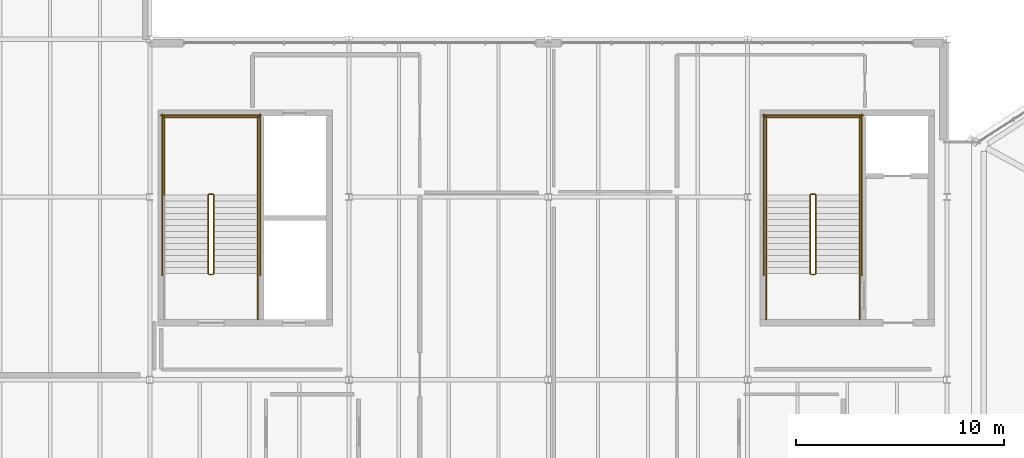
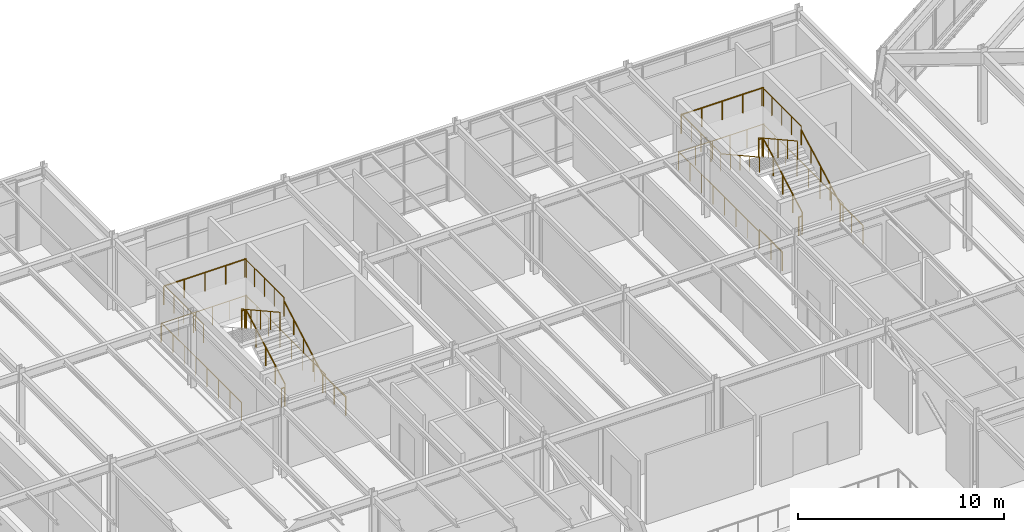
# One storey, part 67 of 69: 26 railings.
"""IFC4 building model written with IfcOpenShell, lengths in metres."""

import ifcopenshell
import ifcopenshell.guid

model = None  # the IFC model being written
_history = None  # IfcOwnerHistory: only IFC2X3 demands one
_inside = {}  # id of a spatial element -> (the spatial element, [elements in it])
_under = {}  # id of a project, library or spatial element -> (it, [spatial elements below it])
_declared = {}  # id of a project -> (the project, [libraries it declares])
_typed = {}  # id of a type object -> (the type object, [elements of that type])
_made_of = {}  # id of a material, layer set ... -> (it, [elements and type objects made of it])


def new_model(schema):
    """Start an empty IFC model of exactly this schema.

    Asked for "IFC4X3", IfcOpenShell would pick the latest addendum, in which some entities
    have other attributes; the version numbers below select the first issue.
    IFC2X3 requires an IfcOwnerHistory on every rooted entity: one is made here for all.
    """
    global model, _history
    if schema == "IFC4X3":
        model = ifcopenshell.file(schema_version=(4, 3, 0, 0))
    else:
        model = ifcopenshell.file(schema=schema)
    _inside.clear()
    _under.clear()
    _declared.clear()
    _typed.clear()
    _made_of.clear()
    _history = None
    if model.schema == "IFC2X3":
        org = make("IfcOrganization", Name="unknown")
        user = make(
            "IfcPersonAndOrganization",
            ThePerson=make("IfcPerson", FamilyName="unknown"),
            TheOrganization=org,
        )
        app = make(
            "IfcApplication",
            ApplicationDeveloper=org,
            Version="unknown",
            ApplicationFullName="unknown",
            ApplicationIdentifier="unknown",
        )
        _history = make(
            "IfcOwnerHistory",
            OwningUser=user,
            OwningApplication=app,
            ChangeAction="ADDED",
            CreationDate=0,
        )
    return model


def make(cls, **values):
    """One entity of the class cls with the attributes given. An attribute that is None is left unset."""
    return model.create_entity(
        cls, **{name: value for name, value in values.items() if value is not None}
    )


def rooted(cls, **values):
    """An entity with a GlobalId (a new one), such as an element, a storey or a relation."""
    return make(cls, GlobalId=ifcopenshell.guid.new(), OwnerHistory=_history, **values)


def si_unit(unit_type, name, prefix=None):
    """IfcSIUnit, for example si_unit("LENGTHUNIT", "METRE", prefix="MILLI")."""
    return make("IfcSIUnit", UnitType=unit_type, Prefix=prefix, Name=name)


def assignment(units):
    """IfcUnitAssignment: the units of a project."""
    return None if units is None else make("IfcUnitAssignment", Units=units)


def point(xyz):
    """IfcCartesianPoint."""
    return None if xyz is None else make("IfcCartesianPoint", Coordinates=xyz)


def direction(xyz):
    """IfcDirection."""
    return None if xyz is None else make("IfcDirection", DirectionRatios=xyz)


def frame(location, z_axis=None, x_axis=None):
    """IfcAxis2Placement3D, a coordinate frame: its origin and axes. An axis left out is left unset."""
    return make(
        "IfcAxis2Placement3D",
        Location=point(location),
        Axis=direction(z_axis),
        RefDirection=direction(x_axis),
    )


def frame_2d(location, x_axis=None):
    """IfcAxis2Placement2D, a coordinate frame in the plane: its origin and x axis."""
    return make(
        "IfcAxis2Placement2D", Location=point(location), RefDirection=direction(x_axis)
    )


def origin():
    """The frame at (0, 0, 0) with its axes left unset."""
    return frame((0.0, 0.0, 0.0))


def origin_2d():
    """The frame at (0, 0) in the plane with its x axis left unset."""
    return frame_2d((0.0, 0.0))


def place(relative_to, where):
    """IfcLocalPlacement: puts the frame where relative to a parent placement (None: the world)."""
    return make(
        "IfcLocalPlacement", PlacementRelTo=relative_to, RelativePlacement=where
    )


def context(
    kind, dimensions, precision=None, world=None, true_north=None, identifier=None
):
    """IfcGeometricRepresentationContext, for example the 3D "Model" context."""
    return make(
        "IfcGeometricRepresentationContext",
        ContextIdentifier=identifier,
        ContextType=kind,
        CoordinateSpaceDimension=dimensions,
        Precision=precision,
        WorldCoordinateSystem=world,
        TrueNorth=true_north,
    )


def subcontext(parent, identifier, kind, view, scale=None):
    """IfcGeometricRepresentationSubContext, for example "Body" below "Model"."""
    return make(
        "IfcGeometricRepresentationSubContext",
        ContextIdentifier=identifier,
        ContextType=kind,
        ParentContext=parent,
        TargetScale=scale,
        TargetView=view,
    )


def project(units=None, contexts=None):
    """IfcProject with its units and contexts."""
    return rooted(
        "IfcProject",
        Name="project",
        RepresentationContexts=contexts,
        UnitsInContext=assignment(units),
    )


def spatial(cls, under=None, at=None, **own):
    """A site, building, storey or space (cls), placed at a placement, below another one or the project."""
    s = rooted(cls, ObjectPlacement=at, **own)
    if under is not None:
        _under.setdefault(under.id(), (under, []))[1].append(s)
    return s


def profile(cls, at=None, kind="AREA", **sizes):
    """A parametric profile (cls). Its sizes go by their IFC names, for example OverallWidth=200.0."""
    return make(cls, ProfileType=kind, Position=at, **sizes)


def circle(**sizes):
    """IfcCircleProfileDef."""
    return profile("IfcCircleProfileDef", **sizes)


def extrude(swept, where, along, depth):
    """IfcExtrudedAreaSolid: the profile swept, set in the frame where, extruded along a direction by depth."""
    return make(
        "IfcExtrudedAreaSolid",
        SweptArea=swept,
        Position=where,
        ExtrudedDirection=direction(along),
        Depth=depth,
    )


def shape(context_of_items, identifier, shape_type, items):
    """IfcShapeRepresentation: the items that make up one representation, for example the "Body"."""
    return make(
        "IfcShapeRepresentation",
        ContextOfItems=context_of_items,
        RepresentationIdentifier=identifier,
        RepresentationType=shape_type,
        Items=items,
    )


def material(Name=None, Category=None):
    """IfcMaterial."""
    return make("IfcMaterial", Name=Name, Category=Category)


def layer(
    of_material, thickness, ventilated=None, Name=None, Category=None, Priority=None
):
    """IfcMaterialLayer: one layer of a wall or slab, of a material (None: an air gap)."""
    return make(
        "IfcMaterialLayer",
        Material=of_material,
        LayerThickness=thickness,
        IsVentilated=ventilated,
        Name=Name,
        Category=Category,
        Priority=Priority,
    )


def layer_set(layers, Name=None):
    """IfcMaterialLayerSet."""
    return make("IfcMaterialLayerSet", MaterialLayers=layers, LayerSetName=Name)


def made_of(thing, what):
    """Note that an element or type object is made of a material, layer set ...; save() writes the relation."""
    if what is not None:
        _made_of.setdefault(what.id(), (what, []))[1].append(thing)
    return thing


def type_object(cls, material=None, **own):
    """A type object (cls), such as IfcWallType, which elements share."""
    return made_of(rooted(cls, **own), material)


def element(
    cls,
    number,
    at=None,
    inside=None,
    cuts=None,
    type_object=None,
    material=None,
    context=None,
    identifier="Body",
    shape_type=None,
    held_by="IfcProductDefinitionShape",
    body=None,
    shapes=None,
    **own,
):
    """One element of the class cls, such as IfcWall. Its Tag is "e" and its number.

    at: its placement. inside: the storey or other place that contains it. cuts: it is an
    opening in that element (IfcRelVoidsElement). A single representation is given by context,
    identifier, shape_type and body (its items); several are given by shapes. held_by: the class
    of the entity that holds the representations. save() writes the other relations.
    """
    e = rooted(cls, Tag="e%d" % number, ObjectPlacement=at, **own)
    if body is not None:
        shapes = [shape(context, identifier, shape_type, body)]
    if shapes is not None:
        e.Representation = make(held_by, Representations=shapes)
    if inside is not None:
        _inside.setdefault(inside.id(), (inside, []))[1].append(e)
    if cuts is not None:
        rooted(
            "IfcRelVoidsElement", RelatingBuildingElement=cuts, RelatedOpeningElement=e
        )
    if type_object is not None:
        _typed.setdefault(type_object.id(), (type_object, []))[1].append(e)
    return made_of(e, material)


def aggregate(whole, parts):
    """IfcRelAggregates: a whole, such as a stair, and the parts it consists of."""
    return rooted("IfcRelAggregates", RelatingObject=whole, RelatedObjects=parts)


def save(model, path):
    """Write the relations noted so far, then the file.

    IfcRelAggregates (storeys below a building ...), IfcRelContainedInSpatialStructure (elements
    in a storey), IfcRelDefinesByType, IfcRelAssociatesMaterial and IfcRelDeclares: one each for
    every whole, place, type object, material and project.
    """
    for whole, parts in _under.values():
        aggregate(whole, parts)
    for where, things in _inside.values():
        rooted(
            "IfcRelContainedInSpatialStructure",
            RelatedElements=things,
            RelatingStructure=where,
        )
    for kind, things in _typed.values():
        rooted("IfcRelDefinesByType", RelatedObjects=things, RelatingType=kind)
    for what, things in _made_of.values():
        rooted("IfcRelAssociatesMaterial", RelatedObjects=things, RelatingMaterial=what)
    for by, libraries in _declared.values():
        rooted("IfcRelDeclares", RelatingContext=by, RelatedDefinitions=libraries)
    model.write(path)


model = new_model("IFC4")

# Units and contexts
model_context = context("Model", 3, precision=1e-05, world=origin(), true_north=direction((0.0, 1.0)))
body_context = subcontext(model_context, "Body", "Model", "MODEL_VIEW")
ifc_project = project(units=[si_unit("LENGTHUNIT", "METRE"), si_unit("AREAUNIT", "SQUARE_METRE"), si_unit("VOLUMEUNIT", "CUBIC_METRE"), si_unit("PLANEANGLEUNIT", "RADIAN"), si_unit("MASSUNIT", "GRAM", prefix="KILO")], contexts=[model_context])

# Site, building, storey
site_placement = place(None, origin())
site = spatial("IfcSite", under=ifc_project, at=site_placement, CompositionType="ELEMENT")
building_placement = place(site_placement, origin())
building = spatial("IfcBuilding", under=site, at=building_placement, Name="Sarnbrook Museum", CompositionType="ELEMENT")
storey_placement = place(building_placement, frame((0.0, 0.0, 14.60009765625)))
storey = spatial("IfcBuildingStorey", under=building, at=storey_placement, Name="L03", CompositionType="ELEMENT", Elevation=14.60009765625)

# Railings
ifc_material = material(Name="Brushed Stainless Steel Grade 316", Category="steel")
ifc_layer_1 = layer(ifc_material, 0.050048828125)
ifc_layer_set_1 = layer_set([ifc_layer_1], Name="Brushed Stainless Steel Grade 316")
railing_type_1 = type_object("IfcRailingType", Name="Guard_Int1120", PredefinedType="BALUSTRADE", material=ifc_layer_set_1)
railing_1_placement = place(storey_placement, frame((112.889892578125, 97.1201171875, 0.16064453125)))
element("IfcRailing", 1, at=railing_1_placement, inside=storey, type_object=railing_type_1, Name="L03 ST2 stair guard 1", PredefinedType="BALUSTRADE", context=body_context, shape_type="SweptSolid", body=[
    extrude(circle(Radius=0.02392578125, at=origin_2d()), frame((0.0, 0.0, 1.09619140625), z_axis=(0.0, 0.874645791573, 0.484762559697), x_axis=(-1.0, 0.0, 0.0)), (0.0, 0.0, 1.0), 4.31005859375),
    extrude(circle(Radius=0.02099609375, at=origin_2d()), origin(), (0.0, 0.0, 1.0), 1.072021484375),
    extrude(circle(Radius=0.02099609375, at=origin_2d()), frame((0.0, 0.9423828125, 0.5224609375)), (0.0, 0.0, 1.0), 1.072021484375),
    extrude(circle(Radius=0.02099609375, at=origin_2d()), frame((0.0, 1.884765625, 1.044677734375)), (0.0, 0.0, 1.0), 1.072021484375),
    extrude(circle(Radius=0.02099609375, at=origin_2d()), frame((0.0, 2.827392578125, 1.56689453125)), (0.0, 0.0, 1.0), 1.072021484375),
    extrude(circle(Radius=0.02099609375, at=origin_2d()), frame((0.0, 3.769775390625, 2.08935546875)), (0.0, 0.0, 1.0), 1.072021484375),
])
railing_2_placement = place(storey_placement, frame((112.840087890625, 100.93994140625, 2.25)))
element("IfcRailing", 2, at=railing_2_placement, inside=storey, type_object=railing_type_1, Name="L03 ST2 stair guard 2", PredefinedType="BALUSTRADE", context=body_context, shape_type="SweptSolid", body=[
    extrude(circle(Radius=0.02392578125, at=origin_2d()), frame((0.0, 0.0, 1.09619140625), z_axis=(-1.0, 0.0, 0.0), x_axis=(0.0, -1.0, 0.0)), (0.0, 0.0, 1.0), 0.18017578125),
    extrude(circle(Radius=0.02099609375, at=origin_2d()), origin(), (0.0, 0.0, 1.0), 1.072021484375),
    extrude(circle(Radius=0.02099609375, at=origin_2d()), frame((-0.18017578125, 0.0, 0.0)), (0.0, 0.0, 1.0), 1.072021484375),
])
for number, where, name in (
    (3, (115.010009765625, 100.889892578125, 2.25), "L03 ST2 stair guard 3"),
    (4, (110.489990234375, 100.889892578125, 2.25), "L03 ST2 stair guard 4"),
):
    element("IfcRailing", number, at=place(storey_placement, frame(where)), inside=storey, type_object=railing_type_1, Name=name, PredefinedType="BALUSTRADE", context=body_context, shape_type="SweptSolid", body=[
        extrude(circle(Radius=0.02392578125, at=origin_2d()), frame((0.0, 0.0, 1.09619140625), z_axis=(0.0, 1.0, 0.0), x_axis=(-1.0, 0.0, 0.0)), (0.0, 0.0, 1.0), 3.81005859375),
        extrude(circle(Radius=0.02099609375, at=origin_2d()), origin(), (0.0, 0.0, 1.0), 1.072021484375),
        extrude(circle(Radius=0.02099609375, at=origin_2d()), frame((0.0, 0.95263671875, 0.0)), (0.0, 0.0, 1.0), 1.072021484375),
        extrude(circle(Radius=0.02099609375, at=origin_2d()), frame((0.0, 1.905029296875, 0.0)), (0.0, 0.0, 1.0), 1.072021484375),
        extrude(circle(Radius=0.02099609375, at=origin_2d()), frame((0.0, 2.857421875, 0.0)), (0.0, 0.0, 1.0), 1.072021484375),
        extrude(circle(Radius=0.02099609375, at=origin_2d()), frame((0.0, 3.81005859375, 0.0)), (0.0, 0.0, 1.0), 1.072021484375),
    ])
railing_3_placement = place(storey_placement, frame((115.06005859375, 104.64990234375, 2.25)))
element("IfcRailing", 5, at=railing_3_placement, inside=storey, type_object=railing_type_1, Name="L03 ST2 stair guard 5", PredefinedType="BALUSTRADE", context=body_context, shape_type="SweptSolid", body=[
    extrude(circle(Radius=0.02392578125, at=origin_2d()), frame((0.0, 0.0, 1.09619140625), z_axis=(-1.0, 0.0, 0.0), x_axis=(0.0, -1.0, 0.0)), (0.0, 0.0, 1.0), 4.6201171875),
    extrude(circle(Radius=0.02099609375, at=origin_2d()), origin(), (0.0, 0.0, 1.0), 1.072021484375),
    extrude(circle(Radius=0.02099609375, at=origin_2d()), frame((-1.155029296875, 0.0, 0.0)), (0.0, 0.0, 1.0), 1.072021484375),
    extrude(circle(Radius=0.02099609375, at=origin_2d()), frame((-2.31005859375, 0.0, 0.0)), (0.0, 0.0, 1.0), 1.072021484375),
    extrude(circle(Radius=0.02099609375, at=origin_2d()), frame((-3.465087890625, 0.0, 0.0)), (0.0, 0.0, 1.0), 1.072021484375),
    extrude(circle(Radius=0.02099609375, at=origin_2d()), frame((-4.6201171875, 0.0, 0.0)), (0.0, 0.0, 1.0), 1.072021484375),
])
railing_4_placement = place(storey_placement, frame((112.610107421875, 100.889892578125, 2.41064453125)))
element("IfcRailing", 6, at=railing_4_placement, inside=storey, type_object=railing_type_1, Name="L03 ST2 stair guard 6", PredefinedType="BALUSTRADE", context=body_context, shape_type="SweptSolid", body=[
    extrude(circle(Radius=0.02392578125, at=origin_2d()), frame((0.0, 0.0, 1.09619140625), z_axis=(0.0, -0.874645791573, 0.484762559697), x_axis=(1.0, 0.0, 0.0)), (0.0, 0.0, 1.0), 4.31005859375),
    extrude(circle(Radius=0.02099609375, at=origin_2d()), origin(), (0.0, 0.0, 1.0), 1.072021484375),
    extrude(circle(Radius=0.02099609375, at=origin_2d()), frame((0.0, -0.9423828125, 0.5224609375)), (0.0, 0.0, 1.0), 1.072021484375),
    extrude(circle(Radius=0.02099609375, at=origin_2d()), frame((0.0, -1.884765625, 1.044677734375)), (0.0, 0.0, 1.0), 1.072021484375),
    extrude(circle(Radius=0.02099609375, at=origin_2d()), frame((0.0, -2.827392578125, 1.56689453125)), (0.0, 0.0, 1.0), 1.072021484375),
    extrude(circle(Radius=0.02099609375, at=origin_2d()), frame((0.0, -3.769775390625, 2.08935546875)), (0.0, 0.0, 1.0), 1.072021484375),
])
railing_5_placement = place(storey_placement, frame((112.840087890625, 97.070068359375, 0.0)))
element("IfcRailing", 7, at=railing_5_placement, inside=storey, type_object=railing_type_1, Name="L03 ST2 stair guard 7", PredefinedType="BALUSTRADE", context=body_context, shape_type="SweptSolid", body=[
    extrude(circle(Radius=0.02392578125, at=origin_2d()), frame((0.0, 0.0, 1.09619140625), z_axis=(-1.0, 0.0, 0.0), x_axis=(0.0, -1.0, 0.0)), (0.0, 0.0, 1.0), 0.18017578125),
    extrude(circle(Radius=0.02099609375, at=origin_2d()), origin(), (0.0, 0.0, 1.0), 1.072021484375),
    extrude(circle(Radius=0.02099609375, at=origin_2d()), frame((-0.18017578125, 0.0, 0.0)), (0.0, 0.0, 1.0), 1.072021484375),
])
for number, where, name in (
    (8, (115.010009765625, 94.89990234375, 0.0), "L03 ST2 stair guard 8"),
    (9, (110.489990234375, 94.89990234375, 0.0), "L03 ST2 stair guard 9"),
):
    element("IfcRailing", number, at=place(storey_placement, frame(where)), inside=storey, type_object=railing_type_1, Name=name, PredefinedType="BALUSTRADE", context=body_context, shape_type="SweptSolid", body=[
        extrude(circle(Radius=0.02392578125, at=origin_2d()), frame((0.0, 0.0, 1.09619140625), z_axis=(0.0, 1.0, 0.0), x_axis=(-1.0, 0.0, 0.0)), (0.0, 0.0, 1.0), 2.22021484375),
        extrude(circle(Radius=0.02099609375, at=origin_2d()), origin(), (0.0, 0.0, 1.0), 1.072021484375),
        extrude(circle(Radius=0.02099609375, at=origin_2d()), frame((0.0, 1.110107421875, 0.0)), (0.0, 0.0, 1.0), 1.072021484375),
        extrude(circle(Radius=0.02099609375, at=origin_2d()), frame((0.0, 2.22021484375, 0.0)), (0.0, 0.0, 1.0), 1.072021484375),
    ])
for number, where, name in (
    (10, (115.110107421875, 97.02001953125, 0.0), "L03 ST2 stair guard 10"),
    (11, (110.389892578125, 97.02001953125, 0.0), "L03 ST2 stair guard 11"),
):
    element("IfcRailing", number, at=place(storey_placement, frame(where)), inside=storey, type_object=railing_type_1, Name=name, PredefinedType="BALUSTRADE", context=body_context, shape_type="SweptSolid", body=[
        extrude(circle(Radius=0.02392578125, at=origin_2d()), frame((0.0, 0.0, 1.09619140625), z_axis=(0.0, 1.0, 0.0), x_axis=(-1.0, 0.0, 0.0)), (0.0, 0.0, 1.0), 7.780029296875),
        extrude(circle(Radius=0.02099609375, at=origin_2d()), origin(), (0.0, 0.0, 1.0), 1.072021484375),
        extrude(circle(Radius=0.02099609375, at=origin_2d()), frame((0.0, 1.111328125, 0.0)), (0.0, 0.0, 1.0), 1.072021484375),
        extrude(circle(Radius=0.02099609375, at=origin_2d()), frame((0.0, 2.222900390625, 0.0)), (0.0, 0.0, 1.0), 1.072021484375),
        extrude(circle(Radius=0.02099609375, at=origin_2d()), frame((0.0, 3.334228515625, 0.0)), (0.0, 0.0, 1.0), 1.072021484375),
        extrude(circle(Radius=0.02099609375, at=origin_2d()), frame((0.0, 4.44580078125, 0.0)), (0.0, 0.0, 1.0), 1.072021484375),
        extrude(circle(Radius=0.02099609375, at=origin_2d()), frame((0.0, 5.55712890625, 0.0)), (0.0, 0.0, 1.0), 1.072021484375),
        extrude(circle(Radius=0.02099609375, at=origin_2d()), frame((0.0, 6.668701171875, 0.0)), (0.0, 0.0, 1.0), 1.072021484375),
        extrude(circle(Radius=0.02099609375, at=origin_2d()), frame((0.0, 7.780029296875, 0.0)), (0.0, 0.0, 1.0), 1.072021484375),
    ])
railing_6_placement = place(storey_placement, frame((115.159912109375, 104.75, 0.0)))
element("IfcRailing", 12, at=railing_6_placement, inside=storey, type_object=railing_type_1, Name="L03 ST2 stair guard 12", PredefinedType="BALUSTRADE", context=body_context, shape_type="SweptSolid", body=[
    extrude(circle(Radius=0.02392578125, at=origin_2d()), frame((0.0, 0.0, 1.09619140625), z_axis=(-1.0, 0.0, 0.0), x_axis=(0.0, -1.0, 0.0)), (0.0, 0.0, 1.0), 4.81982421875),
    extrude(circle(Radius=0.02099609375, at=origin_2d()), origin(), (0.0, 0.0, 1.0), 1.072021484375),
    extrude(circle(Radius=0.02099609375, at=origin_2d()), frame((-0.9638671875, 0.0, 0.0)), (0.0, 0.0, 1.0), 1.072021484375),
    extrude(circle(Radius=0.02099609375, at=origin_2d()), frame((-1.927978515625, 0.0, 0.0)), (0.0, 0.0, 1.0), 1.072021484375),
    extrude(circle(Radius=0.02099609375, at=origin_2d()), frame((-2.891845703125, 0.0, 0.0)), (0.0, 0.0, 1.0), 1.072021484375),
    extrude(circle(Radius=0.02099609375, at=origin_2d()), frame((-3.85595703125, 0.0, 0.0)), (0.0, 0.0, 1.0), 1.072021484375),
    extrude(circle(Radius=0.02099609375, at=origin_2d()), frame((-4.81982421875, 0.0, 0.0)), (0.0, 0.0, 1.0), 1.072021484375),
])
railing_7_placement = place(storey_placement, frame((83.889892578125, 97.1201171875, 0.16064453125)))
element("IfcRailing", 13, at=railing_7_placement, inside=storey, type_object=railing_type_1, Name="L03 ST4 stair guard 1", PredefinedType="BALUSTRADE", context=body_context, shape_type="SweptSolid", body=[
    extrude(circle(Radius=0.02392578125, at=origin_2d()), frame((0.0, 0.0, 1.09619140625), z_axis=(0.0, 0.874645791573, 0.484762559697), x_axis=(-1.0, 0.0, 0.0)), (0.0, 0.0, 1.0), 4.31005859375),
    extrude(circle(Radius=0.02099609375, at=origin_2d()), origin(), (0.0, 0.0, 1.0), 1.072021484375),
    extrude(circle(Radius=0.02099609375, at=origin_2d()), frame((0.0, 0.9423828125, 0.5224609375)), (0.0, 0.0, 1.0), 1.072021484375),
    extrude(circle(Radius=0.02099609375, at=origin_2d()), frame((0.0, 1.884765625, 1.044677734375)), (0.0, 0.0, 1.0), 1.072021484375),
    extrude(circle(Radius=0.02099609375, at=origin_2d()), frame((0.0, 2.827392578125, 1.56689453125)), (0.0, 0.0, 1.0), 1.072021484375),
    extrude(circle(Radius=0.02099609375, at=origin_2d()), frame((0.0, 3.769775390625, 2.08935546875)), (0.0, 0.0, 1.0), 1.072021484375),
])
railing_8_placement = place(storey_placement, frame((83.840087890625, 100.93994140625, 2.25)))
element("IfcRailing", 14, at=railing_8_placement, inside=storey, type_object=railing_type_1, Name="L03 ST4 stair guard 2", PredefinedType="BALUSTRADE", context=body_context, shape_type="SweptSolid", body=[
    extrude(circle(Radius=0.02392578125, at=origin_2d()), frame((0.0, 0.0, 1.09619140625), z_axis=(-1.0, 0.0, 0.0), x_axis=(0.0, -1.0, 0.0)), (0.0, 0.0, 1.0), 0.18017578125),
    extrude(circle(Radius=0.02099609375, at=origin_2d()), origin(), (0.0, 0.0, 1.0), 1.072021484375),
    extrude(circle(Radius=0.02099609375, at=origin_2d()), frame((-0.18017578125, 0.0, 0.0)), (0.0, 0.0, 1.0), 1.072021484375),
])
for number, where, name in (
    (15, (86.010009765625, 100.889892578125, 2.25), "L03 ST4 stair guard 3"),
    (16, (81.489990234375, 100.889892578125, 2.25), "L03 ST4 stair guard 4"),
):
    element("IfcRailing", number, at=place(storey_placement, frame(where)), inside=storey, type_object=railing_type_1, Name=name, PredefinedType="BALUSTRADE", context=body_context, shape_type="SweptSolid", body=[
        extrude(circle(Radius=0.02392578125, at=origin_2d()), frame((0.0, 0.0, 1.09619140625), z_axis=(0.0, 1.0, 0.0), x_axis=(-1.0, 0.0, 0.0)), (0.0, 0.0, 1.0), 3.81005859375),
        extrude(circle(Radius=0.02099609375, at=origin_2d()), origin(), (0.0, 0.0, 1.0), 1.072021484375),
        extrude(circle(Radius=0.02099609375, at=origin_2d()), frame((0.0, 0.95263671875, 0.0)), (0.0, 0.0, 1.0), 1.072021484375),
        extrude(circle(Radius=0.02099609375, at=origin_2d()), frame((0.0, 1.905029296875, 0.0)), (0.0, 0.0, 1.0), 1.072021484375),
        extrude(circle(Radius=0.02099609375, at=origin_2d()), frame((0.0, 2.857421875, 0.0)), (0.0, 0.0, 1.0), 1.072021484375),
        extrude(circle(Radius=0.02099609375, at=origin_2d()), frame((0.0, 3.81005859375, 0.0)), (0.0, 0.0, 1.0), 1.072021484375),
    ])
railing_9_placement = place(storey_placement, frame((86.06005859375, 104.64990234375, 2.25)))
element("IfcRailing", 17, at=railing_9_placement, inside=storey, type_object=railing_type_1, Name="L03 ST4 stair guard 5", PredefinedType="BALUSTRADE", context=body_context, shape_type="SweptSolid", body=[
    extrude(circle(Radius=0.02392578125, at=origin_2d()), frame((0.0, 0.0, 1.09619140625), z_axis=(-1.0, 0.0, 0.0), x_axis=(0.0, -1.0, 0.0)), (0.0, 0.0, 1.0), 4.6201171875),
    extrude(circle(Radius=0.02099609375, at=origin_2d()), origin(), (0.0, 0.0, 1.0), 1.072021484375),
    extrude(circle(Radius=0.02099609375, at=origin_2d()), frame((-1.155029296875, 0.0, 0.0)), (0.0, 0.0, 1.0), 1.072021484375),
    extrude(circle(Radius=0.02099609375, at=origin_2d()), frame((-2.31005859375, 0.0, 0.0)), (0.0, 0.0, 1.0), 1.072021484375),
    extrude(circle(Radius=0.02099609375, at=origin_2d()), frame((-3.465087890625, 0.0, 0.0)), (0.0, 0.0, 1.0), 1.072021484375),
    extrude(circle(Radius=0.02099609375, at=origin_2d()), frame((-4.6201171875, 0.0, 0.0)), (0.0, 0.0, 1.0), 1.072021484375),
])
railing_10_placement = place(storey_placement, frame((83.610107421875, 100.889892578125, 2.41064453125)))
element("IfcRailing", 18, at=railing_10_placement, inside=storey, type_object=railing_type_1, Name="L03 ST4 stair guard 6", PredefinedType="BALUSTRADE", context=body_context, shape_type="SweptSolid", body=[
    extrude(circle(Radius=0.02392578125, at=origin_2d()), frame((0.0, 0.0, 1.09619140625), z_axis=(0.0, -0.874645791573, 0.484762559697), x_axis=(1.0, 0.0, 0.0)), (0.0, 0.0, 1.0), 4.31005859375),
    extrude(circle(Radius=0.02099609375, at=origin_2d()), origin(), (0.0, 0.0, 1.0), 1.072021484375),
    extrude(circle(Radius=0.02099609375, at=origin_2d()), frame((0.0, -0.9423828125, 0.5224609375)), (0.0, 0.0, 1.0), 1.072021484375),
    extrude(circle(Radius=0.02099609375, at=origin_2d()), frame((0.0, -1.884765625, 1.044677734375)), (0.0, 0.0, 1.0), 1.072021484375),
    extrude(circle(Radius=0.02099609375, at=origin_2d()), frame((0.0, -2.827392578125, 1.56689453125)), (0.0, 0.0, 1.0), 1.072021484375),
    extrude(circle(Radius=0.02099609375, at=origin_2d()), frame((0.0, -3.769775390625, 2.08935546875)), (0.0, 0.0, 1.0), 1.072021484375),
])
railing_11_placement = place(storey_placement, frame((83.840087890625, 97.070068359375, 0.0)))
element("IfcRailing", 19, at=railing_11_placement, inside=storey, type_object=railing_type_1, Name="L03 ST4 stair guard 7", PredefinedType="BALUSTRADE", context=body_context, shape_type="SweptSolid", body=[
    extrude(circle(Radius=0.02392578125, at=origin_2d()), frame((0.0, 0.0, 1.09619140625), z_axis=(-1.0, 0.0, 0.0), x_axis=(0.0, -1.0, 0.0)), (0.0, 0.0, 1.0), 0.18017578125),
    extrude(circle(Radius=0.02099609375, at=origin_2d()), origin(), (0.0, 0.0, 1.0), 1.072021484375),
    extrude(circle(Radius=0.02099609375, at=origin_2d()), frame((-0.18017578125, 0.0, 0.0)), (0.0, 0.0, 1.0), 1.072021484375),
])
railing_12_placement = place(storey_placement, frame((86.010009765625, 94.89990234375, 0.0)))
element("IfcRailing", 20, at=railing_12_placement, inside=storey, type_object=railing_type_1, Name="L03 ST4 stair guard 8", PredefinedType="BALUSTRADE", context=body_context, shape_type="SweptSolid", body=[
    extrude(circle(Radius=0.02392578125, at=origin_2d()), frame((0.0, 0.0, 1.09619140625), z_axis=(0.0, 1.0, 0.0), x_axis=(-1.0, 0.0, 0.0)), (0.0, 0.0, 1.0), 2.22021484375),
    extrude(circle(Radius=0.02099609375, at=origin_2d()), origin(), (0.0, 0.0, 1.0), 1.072021484375),
    extrude(circle(Radius=0.02099609375, at=origin_2d()), frame((0.0, 1.110107421875, 0.0)), (0.0, 0.0, 1.0), 1.072021484375),
    extrude(circle(Radius=0.02099609375, at=origin_2d()), frame((0.0, 2.22021484375, 0.0)), (0.0, 0.0, 1.0), 1.072021484375),
])
for number, where, name in (
    (21, (86.110107421875, 97.02001953125, 0.0), "L03 ST4 stair guard 10"),
    (22, (81.389892578125, 97.02001953125, 0.0), "L03 ST4 stair guard 11"),
):
    element("IfcRailing", number, at=place(storey_placement, frame(where)), inside=storey, type_object=railing_type_1, Name=name, PredefinedType="BALUSTRADE", context=body_context, shape_type="SweptSolid", body=[
        extrude(circle(Radius=0.02392578125, at=origin_2d()), frame((0.0, 0.0, 1.09619140625), z_axis=(0.0, 1.0, 0.0), x_axis=(-1.0, 0.0, 0.0)), (0.0, 0.0, 1.0), 7.780029296875),
        extrude(circle(Radius=0.02099609375, at=origin_2d()), origin(), (0.0, 0.0, 1.0), 1.072021484375),
        extrude(circle(Radius=0.02099609375, at=origin_2d()), frame((0.0, 1.111328125, 0.0)), (0.0, 0.0, 1.0), 1.072021484375),
        extrude(circle(Radius=0.02099609375, at=origin_2d()), frame((0.0, 2.222900390625, 0.0)), (0.0, 0.0, 1.0), 1.072021484375),
        extrude(circle(Radius=0.02099609375, at=origin_2d()), frame((0.0, 3.334228515625, 0.0)), (0.0, 0.0, 1.0), 1.072021484375),
        extrude(circle(Radius=0.02099609375, at=origin_2d()), frame((0.0, 4.44580078125, 0.0)), (0.0, 0.0, 1.0), 1.072021484375),
        extrude(circle(Radius=0.02099609375, at=origin_2d()), frame((0.0, 5.55712890625, 0.0)), (0.0, 0.0, 1.0), 1.072021484375),
        extrude(circle(Radius=0.02099609375, at=origin_2d()), frame((0.0, 6.668701171875, 0.0)), (0.0, 0.0, 1.0), 1.072021484375),
        extrude(circle(Radius=0.02099609375, at=origin_2d()), frame((0.0, 7.780029296875, 0.0)), (0.0, 0.0, 1.0), 1.072021484375),
    ])
railing_13_placement = place(storey_placement, frame((86.159912109375, 104.75, 0.0)))
element("IfcRailing", 23, at=railing_13_placement, inside=storey, type_object=railing_type_1, Name="L03 ST4 stair guard 12", PredefinedType="BALUSTRADE", context=body_context, shape_type="SweptSolid", body=[
    extrude(circle(Radius=0.02392578125, at=origin_2d()), frame((0.0, 0.0, 1.09619140625), z_axis=(-1.0, 0.0, 0.0), x_axis=(0.0, -1.0, 0.0)), (0.0, 0.0, 1.0), 4.81982421875),
    extrude(circle(Radius=0.02099609375, at=origin_2d()), origin(), (0.0, 0.0, 1.0), 1.072021484375),
    extrude(circle(Radius=0.02099609375, at=origin_2d()), frame((-0.9638671875, 0.0, 0.0)), (0.0, 0.0, 1.0), 1.072021484375),
    extrude(circle(Radius=0.02099609375, at=origin_2d()), frame((-1.927978515625, 0.0, 0.0)), (0.0, 0.0, 1.0), 1.072021484375),
    extrude(circle(Radius=0.02099609375, at=origin_2d()), frame((-2.891845703125, 0.0, 0.0)), (0.0, 0.0, 1.0), 1.072021484375),
    extrude(circle(Radius=0.02099609375, at=origin_2d()), frame((-3.85595703125, 0.0, 0.0)), (0.0, 0.0, 1.0), 1.072021484375),
    extrude(circle(Radius=0.02099609375, at=origin_2d()), frame((-4.81982421875, 0.0, 0.0)), (0.0, 0.0, 1.0), 1.072021484375),
])
ifc_layer_2 = layer(ifc_material, 0.048095703125)
ifc_layer_set_2 = layer_set([ifc_layer_2], Name="Brushed Stainless Steel Grade 316")
railing_type_2 = type_object("IfcRailingType", Name="Handrail_920", PredefinedType="HANDRAIL", material=ifc_layer_set_2)
railing_14_placement = place(storey_placement, frame((115.010009765625, 97.1201171875, 0.16064453125)))
element("IfcRailing", 24, at=railing_14_placement, inside=storey, type_object=railing_type_2, Name="L03 ST2 stair handrail 1", PredefinedType="HANDRAIL", context=body_context, shape_type="SweptSolid", body=[
    extrude(circle(Radius=0.02392578125, at=origin_2d()), frame((0.0, 0.0, 0.8857421875), z_axis=(0.0, 0.874645791573, 0.484762559697), x_axis=(-1.0, 0.0, 0.0)), (0.0, 0.0, 1.0), 4.31005859375),
    extrude(circle(Radius=0.02099609375, at=origin_2d()), origin(), (0.0, 0.0, 1.0), 0.86181640625),
    extrude(circle(Radius=0.02099609375, at=origin_2d()), frame((0.0, 0.9423828125, 0.5224609375)), (0.0, 0.0, 1.0), 0.86181640625),
    extrude(circle(Radius=0.02099609375, at=origin_2d()), frame((0.0, 1.884765625, 1.044677734375)), (0.0, 0.0, 1.0), 0.86181640625),
    extrude(circle(Radius=0.02099609375, at=origin_2d()), frame((0.0, 2.827392578125, 1.56689453125)), (0.0, 0.0, 1.0), 0.86181640625),
    extrude(circle(Radius=0.02099609375, at=origin_2d()), frame((0.0, 3.769775390625, 2.08935546875)), (0.0, 0.0, 1.0), 0.86181640625),
])
railing_15_placement = place(storey_placement, frame((110.489990234375, 100.889892578125, 2.41064453125)))
element("IfcRailing", 25, at=railing_15_placement, inside=storey, type_object=railing_type_2, Name="L03 ST2 stair handrail 2", PredefinedType="HANDRAIL", context=body_context, shape_type="SweptSolid", body=[
    extrude(circle(Radius=0.02392578125, at=origin_2d()), frame((0.0, 0.0, 0.8857421875), z_axis=(0.0, -0.874645791573, 0.484762559697), x_axis=(1.0, 0.0, 0.0)), (0.0, 0.0, 1.0), 4.31005859375),
    extrude(circle(Radius=0.02099609375, at=origin_2d()), origin(), (0.0, 0.0, 1.0), 0.86181640625),
    extrude(circle(Radius=0.02099609375, at=origin_2d()), frame((0.0, -0.9423828125, 0.5224609375)), (0.0, 0.0, 1.0), 0.86181640625),
    extrude(circle(Radius=0.02099609375, at=origin_2d()), frame((0.0, -1.884765625, 1.044677734375)), (0.0, 0.0, 1.0), 0.86181640625),
    extrude(circle(Radius=0.02099609375, at=origin_2d()), frame((0.0, -2.827392578125, 1.56689453125)), (0.0, 0.0, 1.0), 0.86181640625),
    extrude(circle(Radius=0.02099609375, at=origin_2d()), frame((0.0, -3.769775390625, 2.08935546875)), (0.0, 0.0, 1.0), 0.86181640625),
])
railing_16_placement = place(storey_placement, frame((86.010009765625, 97.1201171875, 0.16064453125)))
element("IfcRailing", 26, at=railing_16_placement, inside=storey, type_object=railing_type_2, Name="L03 ST4 stair handrail 1", PredefinedType="HANDRAIL", context=body_context, shape_type="SweptSolid", body=[
    extrude(circle(Radius=0.02392578125, at=origin_2d()), frame((0.0, 0.0, 0.8857421875), z_axis=(0.0, 0.874645791573, 0.484762559697), x_axis=(-1.0, 0.0, 0.0)), (0.0, 0.0, 1.0), 4.31005859375),
    extrude(circle(Radius=0.02099609375, at=origin_2d()), origin(), (0.0, 0.0, 1.0), 0.86181640625),
    extrude(circle(Radius=0.02099609375, at=origin_2d()), frame((0.0, 0.9423828125, 0.5224609375)), (0.0, 0.0, 1.0), 0.86181640625),
    extrude(circle(Radius=0.02099609375, at=origin_2d()), frame((0.0, 1.884765625, 1.044677734375)), (0.0, 0.0, 1.0), 0.86181640625),
    extrude(circle(Radius=0.02099609375, at=origin_2d()), frame((0.0, 2.827392578125, 1.56689453125)), (0.0, 0.0, 1.0), 0.86181640625),
    extrude(circle(Radius=0.02099609375, at=origin_2d()), frame((0.0, 3.769775390625, 2.08935546875)), (0.0, 0.0, 1.0), 0.86181640625),
])

save(model, "model.ifc")
